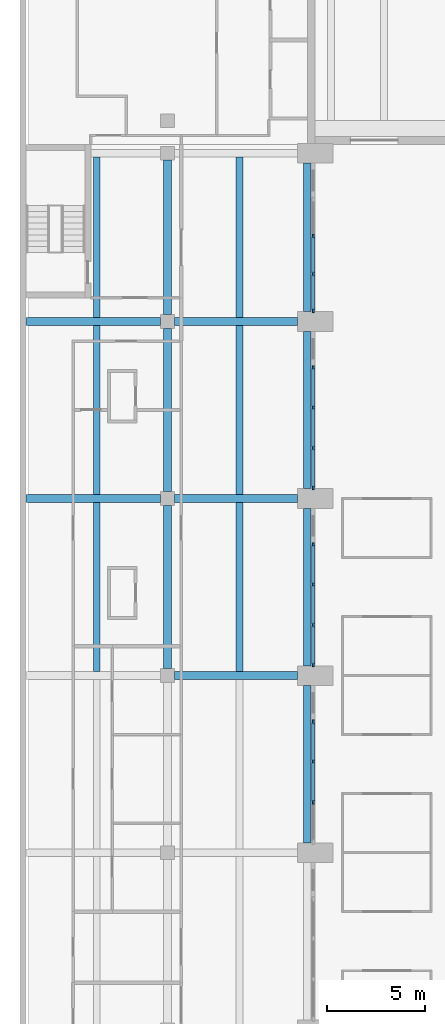
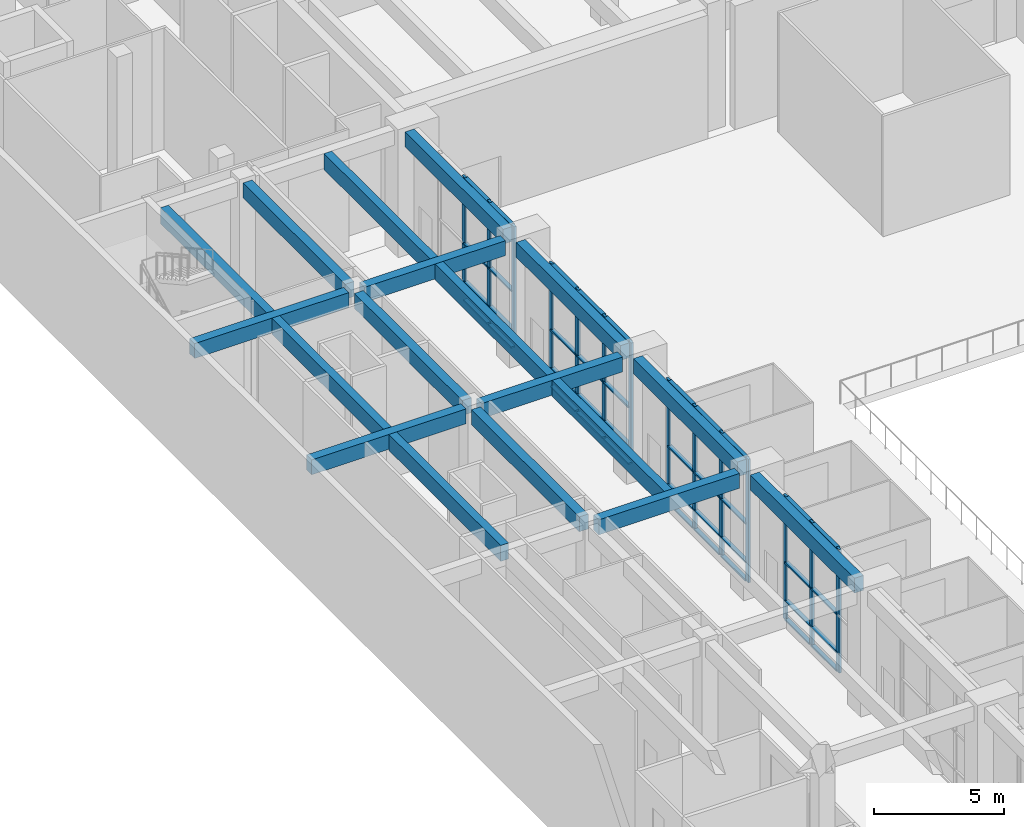
# One storey, part 17 of 51: 54 members, 18 beams, 4 elements without a shape of their own.
"""IFC4 building model written with IfcOpenShell, lengths in metres."""

from ifc_helpers import new_model, si_unit, direction, frame, origin, origin_2d, place, context, subcontext, project, spatial, rectangle, extrude, material, material_profile, profile_set, type_object, element, aggregate, save


model = new_model("IFC4")

# Units and contexts
model_context = context("Model", 3, precision=1e-05, world=origin(), true_north=direction((0.0, 1.0)))
body_context = subcontext(model_context, "Body", "Model", "MODEL_VIEW")
ifc_project = project(units=[si_unit("LENGTHUNIT", "METRE"), si_unit("AREAUNIT", "SQUARE_METRE"), si_unit("VOLUMEUNIT", "CUBIC_METRE"), si_unit("PLANEANGLEUNIT", "RADIAN"), si_unit("MASSUNIT", "GRAM", prefix="KILO")], contexts=[model_context])

# Site, building, storey
site_placement = place(None, origin())
site = spatial("IfcSite", under=ifc_project, at=site_placement, CompositionType="ELEMENT")
building_placement = place(site_placement, origin())
building = spatial("IfcBuilding", under=site, at=building_placement, Name="Elmora Arch Market Hall", CompositionType="ELEMENT")
storey_placement = place(building_placement, origin())
storey = spatial("IfcBuildingStorey", under=building, at=storey_placement, Name="L00", CompositionType="ELEMENT", Elevation=0.0)

# Curtain wall, members
ifc_material_1 = material(Name="Aluminium", Category="aluminium")
curtain_wall_type = type_object("IfcCurtainWallType", Name="Shopfront curtain wall", PredefinedType="NOTDEFINED", material=ifc_material_1)
curtain_wall_1_placement = place(storey_placement, origin())
curtain_wall_1 = element("IfcCurtainWall", 1, at=curtain_wall_1_placement, inside=storey, type_object=curtain_wall_type, Name="Shopfront W 5", PredefinedType="NOTDEFINED")
ifc_material_2 = material(Name="Aluminium", Category="aluminium")
ifc_material_profile_1 = material_profile(ifc_material_2, rectangle(XDim=0.10009765625, YDim=0.219970703125, at=origin_2d()), Name="AL 100x220")
ifc_profile_set_1 = profile_set([ifc_material_profile_1], Name="Aluminium")
member_type_1 = type_object("IfcMemberType", Name="Mullion 100x220", PredefinedType="MULLION", material=ifc_profile_set_1)
member_1_placement = place(storey_placement, frame((14.89990234375, 65.566650390625, 0.0), z_axis=(0.0, 0.0, 1.0), x_axis=(-1.0, 0.0, 0.0)))
member_1 = element("IfcMember", 2, at=member_1_placement, type_object=member_type_1, Name="CW3 mullion 2", PredefinedType="MULLION", context=body_context, shape_type="SweptSolid", body=[
    extrude(rectangle(XDim=0.10009765625, YDim=0.219970703125, at=origin_2d()), origin(), (0.0, 0.0, 1.0), 5.800048828125),
])
member_2_placement = place(storey_placement, frame((14.89990234375, 67.63330078125, 0.0), z_axis=(0.0, 0.0, 1.0), x_axis=(-1.0, 0.0, 0.0)))
member_2 = element("IfcMember", 3, at=member_2_placement, type_object=member_type_1, Name="CW3 mullion 3", PredefinedType="MULLION", context=body_context, shape_type="SweptSolid", body=[
    extrude(rectangle(XDim=0.10009765625, YDim=0.219970703125, at=origin_2d()), origin(), (0.0, 0.0, 1.0), 5.800048828125),
])
member_3_placement = place(storey_placement, frame((14.89990234375, 69.64990234375, 0.0), z_axis=(0.0, 0.0, 1.0), x_axis=(-1.0, 0.0, 0.0)))
member_3 = element("IfcMember", 4, at=member_3_placement, type_object=member_type_1, Name="CW3 mullion 4", PredefinedType="MULLION", context=body_context, shape_type="SweptSolid", body=[
    extrude(rectangle(XDim=0.10009765625, YDim=0.219970703125, at=origin_2d()), origin(), (0.0, 0.0, 1.0), 5.800048828125),
])

curtain_wall_2_placement = place(storey_placement, origin())
curtain_wall_2 = element("IfcCurtainWall", 5, at=curtain_wall_2_placement, inside=storey, type_object=curtain_wall_type, Name="Shopfront W 6", PredefinedType="NOTDEFINED")
member_4_placement = place(storey_placement, frame((14.89990234375, 72.550048828125, 0.0), z_axis=(0.0, 0.0, 1.0), x_axis=(-1.0, 0.0, 0.0)))
member_4 = element("IfcMember", 6, at=member_4_placement, type_object=member_type_1, Name="CW3 mullion 1", PredefinedType="MULLION", context=body_context, shape_type="SweptSolid", body=[
    extrude(rectangle(XDim=0.10009765625, YDim=0.219970703125, at=origin_2d()), origin(), (0.0, 0.0, 1.0), 5.800048828125),
])
member_5_placement = place(storey_placement, frame((14.89990234375, 74.566650390625, 0.0), z_axis=(0.0, 0.0, 1.0), x_axis=(-1.0, 0.0, 0.0)))
member_5 = element("IfcMember", 7, at=member_5_placement, type_object=member_type_1, Name="CW3 mullion 2", PredefinedType="MULLION", context=body_context, shape_type="SweptSolid", body=[
    extrude(rectangle(XDim=0.10009765625, YDim=0.219970703125, at=origin_2d()), origin(), (0.0, 0.0, 1.0), 5.800048828125),
])
member_6_placement = place(storey_placement, frame((14.89990234375, 76.63330078125, 0.0), z_axis=(0.0, 0.0, 1.0), x_axis=(-1.0, 0.0, 0.0)))
member_6 = element("IfcMember", 8, at=member_6_placement, type_object=member_type_1, Name="CW3 mullion 3", PredefinedType="MULLION", context=body_context, shape_type="SweptSolid", body=[
    extrude(rectangle(XDim=0.10009765625, YDim=0.219970703125, at=origin_2d()), origin(), (0.0, 0.0, 1.0), 5.800048828125),
])
member_7_placement = place(storey_placement, frame((14.89990234375, 78.64990234375, 0.0), z_axis=(0.0, 0.0, 1.0), x_axis=(-1.0, 0.0, 0.0)))
member_7 = element("IfcMember", 9, at=member_7_placement, type_object=member_type_1, Name="CW3 mullion 4", PredefinedType="MULLION", context=body_context, shape_type="SweptSolid", body=[
    extrude(rectangle(XDim=0.10009765625, YDim=0.219970703125, at=origin_2d()), origin(), (0.0, 0.0, 1.0), 5.800048828125),
])

curtain_wall_3_placement = place(storey_placement, origin())
curtain_wall_3 = element("IfcCurtainWall", 10, at=curtain_wall_3_placement, inside=storey, type_object=curtain_wall_type, Name="Shopfront W 7", PredefinedType="NOTDEFINED")
member_8_placement = place(storey_placement, frame((14.89990234375, 81.550048828125, 0.0), z_axis=(0.0, 0.0, 1.0), x_axis=(-1.0, 0.0, 0.0)))
member_8 = element("IfcMember", 11, at=member_8_placement, type_object=member_type_1, Name="CW3 mullion 1", PredefinedType="MULLION", context=body_context, shape_type="SweptSolid", body=[
    extrude(rectangle(XDim=0.10009765625, YDim=0.219970703125, at=origin_2d()), origin(), (0.0, 0.0, 1.0), 5.800048828125),
])
member_9_placement = place(storey_placement, frame((14.89990234375, 83.566650390625, 0.0), z_axis=(0.0, 0.0, 1.0), x_axis=(-1.0, 0.0, 0.0)))
member_9 = element("IfcMember", 12, at=member_9_placement, type_object=member_type_1, Name="CW3 mullion 2", PredefinedType="MULLION", context=body_context, shape_type="SweptSolid", body=[
    extrude(rectangle(XDim=0.10009765625, YDim=0.219970703125, at=origin_2d()), origin(), (0.0, 0.0, 1.0), 5.800048828125),
])
member_10_placement = place(storey_placement, frame((14.89990234375, 85.63330078125, 0.0), z_axis=(0.0, 0.0, 1.0), x_axis=(-1.0, 0.0, 0.0)))
member_10 = element("IfcMember", 13, at=member_10_placement, type_object=member_type_1, Name="CW3 mullion 3", PredefinedType="MULLION", context=body_context, shape_type="SweptSolid", body=[
    extrude(rectangle(XDim=0.10009765625, YDim=0.219970703125, at=origin_2d()), origin(), (0.0, 0.0, 1.0), 5.800048828125),
])
member_11_placement = place(storey_placement, frame((14.89990234375, 87.64990234375, 0.0), z_axis=(0.0, 0.0, 1.0), x_axis=(-1.0, 0.0, 0.0)))
member_11 = element("IfcMember", 14, at=member_11_placement, type_object=member_type_1, Name="CW3 mullion 4", PredefinedType="MULLION", context=body_context, shape_type="SweptSolid", body=[
    extrude(rectangle(XDim=0.10009765625, YDim=0.219970703125, at=origin_2d()), origin(), (0.0, 0.0, 1.0), 5.800048828125),
])

curtain_wall_4_placement = place(storey_placement, origin())
curtain_wall_4 = element("IfcCurtainWall", 15, at=curtain_wall_4_placement, inside=storey, type_object=curtain_wall_type, Name="Shopfront W 8", PredefinedType="NOTDEFINED")
member_12_placement = place(storey_placement, frame((14.89990234375, 90.550048828125, 0.0), z_axis=(0.0, 0.0, 1.0), x_axis=(-1.0, 0.0, 0.0)))
member_12 = element("IfcMember", 16, at=member_12_placement, type_object=member_type_1, Name="CW3 mullion 1", PredefinedType="MULLION", context=body_context, shape_type="SweptSolid", body=[
    extrude(rectangle(XDim=0.10009765625, YDim=0.219970703125, at=origin_2d()), origin(), (0.0, 0.0, 1.0), 5.800048828125),
])
member_13_placement = place(storey_placement, frame((14.89990234375, 92.416748046875, 0.0), z_axis=(0.0, 0.0, 1.0), x_axis=(-1.0, 0.0, 0.0)))
member_13 = element("IfcMember", 17, at=member_13_placement, type_object=member_type_1, Name="CW3 mullion 2", PredefinedType="MULLION", context=body_context, shape_type="SweptSolid", body=[
    extrude(rectangle(XDim=0.10009765625, YDim=0.219970703125, at=origin_2d()), origin(), (0.0, 0.0, 1.0), 5.800048828125),
])
member_14_placement = place(storey_placement, frame((14.89990234375, 94.333251953125, 0.0), z_axis=(0.0, 0.0, 1.0), x_axis=(-1.0, 0.0, 0.0)))
member_14 = element("IfcMember", 18, at=member_14_placement, type_object=member_type_1, Name="CW3 mullion 3", PredefinedType="MULLION", context=body_context, shape_type="SweptSolid", body=[
    extrude(rectangle(XDim=0.10009765625, YDim=0.219970703125, at=origin_2d()), origin(), (0.0, 0.0, 1.0), 5.800048828125),
])

# Member
ifc_material_3 = material(Name="Aluminium", Category="aluminium")
ifc_material_profile_2 = material_profile(ifc_material_3, rectangle(XDim=0.179931640625, YDim=0.074951171875, at=origin_2d()), Name="AL 180x75")
ifc_profile_set_2 = profile_set([ifc_material_profile_2], Name="Aluminium")
member_type_2 = type_object("IfcMemberType", Name="Transom 180x75", PredefinedType="USERDEFINED", material=ifc_profile_set_2)
member_15_placement = place(storey_placement, frame((14.89990234375, 65.61669921875, 0.03759765625), z_axis=(0.0, 1.0, 0.0), x_axis=(-1.0, 0.0, 0.0)))
member_15 = element("IfcMember", 19, at=member_15_placement, type_object=member_type_2, Name="CW3 transom 2.1", ObjectType="TRANSOM", PredefinedType="USERDEFINED", context=body_context, shape_type="SweptSolid", body=[
    extrude(rectangle(XDim=0.179931640625, YDim=0.074951171875, at=origin_2d()), origin(), (0.0, 0.0, 1.0), 1.966552734375),
])

member_16_placement = place(storey_placement, frame((14.89990234375, 65.61669921875, 0.89990234375), z_axis=(0.0, 1.0, 0.0), x_axis=(-1.0, 0.0, 0.0)))
member_16 = element("IfcMember", 20, at=member_16_placement, type_object=member_type_2, Name="CW3 transom 2.2", ObjectType="TRANSOM", PredefinedType="USERDEFINED", context=body_context, shape_type="SweptSolid", body=[
    extrude(rectangle(XDim=0.179931640625, YDim=0.074951171875, at=origin_2d()), origin(), (0.0, 0.0, 1.0), 1.966552734375),
])

member_17_placement = place(storey_placement, frame((14.89990234375, 65.61669921875, 2.699951171875), z_axis=(0.0, 1.0, 0.0), x_axis=(-1.0, 0.0, 0.0)))
member_17 = element("IfcMember", 21, at=member_17_placement, type_object=member_type_2, Name="CW3 transom 2.3", ObjectType="TRANSOM", PredefinedType="USERDEFINED", context=body_context, shape_type="SweptSolid", body=[
    extrude(rectangle(XDim=0.179931640625, YDim=0.074951171875, at=origin_2d()), origin(), (0.0, 0.0, 1.0), 1.966552734375),
])

member_18_placement = place(storey_placement, frame((14.89990234375, 65.61669921875, 5.762451171875), z_axis=(0.0, 1.0, 0.0), x_axis=(-1.0, 0.0, 0.0)))
member_18 = element("IfcMember", 22, at=member_18_placement, type_object=member_type_2, Name="CW3 transom 2.4", ObjectType="TRANSOM", PredefinedType="USERDEFINED", context=body_context, shape_type="SweptSolid", body=[
    extrude(rectangle(XDim=0.179931640625, YDim=0.074951171875, at=origin_2d()), origin(), (0.0, 0.0, 1.0), 1.966552734375),
])

member_19_placement = place(storey_placement, frame((14.89990234375, 67.683349609375, 0.03759765625), z_axis=(0.0, 1.0, 0.0), x_axis=(-1.0, 0.0, 0.0)))
member_19 = element("IfcMember", 23, at=member_19_placement, type_object=member_type_2, Name="CW3 transom 3.1", ObjectType="TRANSOM", PredefinedType="USERDEFINED", context=body_context, shape_type="SweptSolid", body=[
    extrude(rectangle(XDim=0.179931640625, YDim=0.074951171875, at=origin_2d()), origin(), (0.0, 0.0, 1.0), 1.916748046875),
])

member_20_placement = place(storey_placement, frame((14.89990234375, 67.683349609375, 0.89990234375), z_axis=(0.0, 1.0, 0.0), x_axis=(-1.0, 0.0, 0.0)))
member_20 = element("IfcMember", 24, at=member_20_placement, type_object=member_type_2, Name="CW3 transom 3.2", ObjectType="TRANSOM", PredefinedType="USERDEFINED", context=body_context, shape_type="SweptSolid", body=[
    extrude(rectangle(XDim=0.179931640625, YDim=0.074951171875, at=origin_2d()), origin(), (0.0, 0.0, 1.0), 1.916748046875),
])

member_21_placement = place(storey_placement, frame((14.89990234375, 67.683349609375, 2.699951171875), z_axis=(0.0, 1.0, 0.0), x_axis=(-1.0, 0.0, 0.0)))
member_21 = element("IfcMember", 25, at=member_21_placement, type_object=member_type_2, Name="CW3 transom 3.3", ObjectType="TRANSOM", PredefinedType="USERDEFINED", context=body_context, shape_type="SweptSolid", body=[
    extrude(rectangle(XDim=0.179931640625, YDim=0.074951171875, at=origin_2d()), origin(), (0.0, 0.0, 1.0), 1.916748046875),
])

member_22_placement = place(storey_placement, frame((14.89990234375, 67.683349609375, 5.762451171875), z_axis=(0.0, 1.0, 0.0), x_axis=(-1.0, 0.0, 0.0)))
member_22 = element("IfcMember", 26, at=member_22_placement, type_object=member_type_2, Name="CW3 transom 3.4", ObjectType="TRANSOM", PredefinedType="USERDEFINED", context=body_context, shape_type="SweptSolid", body=[
    extrude(rectangle(XDim=0.179931640625, YDim=0.074951171875, at=origin_2d()), origin(), (0.0, 0.0, 1.0), 1.916748046875),
])

aggregate(curtain_wall_1, [member_1, member_2, member_3, member_15, member_16, member_17, member_18, member_19, member_20, member_21, member_22])

member_23_placement = place(storey_placement, frame((14.89990234375, 72.60009765625, 0.03759765625), z_axis=(0.0, 1.0, 0.0), x_axis=(-1.0, 0.0, 0.0)))
member_23 = element("IfcMember", 27, at=member_23_placement, type_object=member_type_2, Name="CW3 transom 1.1", ObjectType="TRANSOM", PredefinedType="USERDEFINED", context=body_context, shape_type="SweptSolid", body=[
    extrude(rectangle(XDim=0.179931640625, YDim=0.074951171875, at=origin_2d()), origin(), (0.0, 0.0, 1.0), 1.91650390625),
])

member_24_placement = place(storey_placement, frame((14.89990234375, 72.60009765625, 0.89990234375), z_axis=(0.0, 1.0, 0.0), x_axis=(-1.0, 0.0, 0.0)))
member_24 = element("IfcMember", 28, at=member_24_placement, type_object=member_type_2, Name="CW3 transom 1.2", ObjectType="TRANSOM", PredefinedType="USERDEFINED", context=body_context, shape_type="SweptSolid", body=[
    extrude(rectangle(XDim=0.179931640625, YDim=0.074951171875, at=origin_2d()), origin(), (0.0, 0.0, 1.0), 1.91650390625),
])

member_25_placement = place(storey_placement, frame((14.89990234375, 72.60009765625, 2.699951171875), z_axis=(0.0, 1.0, 0.0), x_axis=(-1.0, 0.0, 0.0)))
member_25 = element("IfcMember", 29, at=member_25_placement, type_object=member_type_2, Name="CW3 transom 1.3", ObjectType="TRANSOM", PredefinedType="USERDEFINED", context=body_context, shape_type="SweptSolid", body=[
    extrude(rectangle(XDim=0.179931640625, YDim=0.074951171875, at=origin_2d()), origin(), (0.0, 0.0, 1.0), 1.91650390625),
])

member_26_placement = place(storey_placement, frame((14.89990234375, 72.60009765625, 5.762451171875), z_axis=(0.0, 1.0, 0.0), x_axis=(-1.0, 0.0, 0.0)))
member_26 = element("IfcMember", 30, at=member_26_placement, type_object=member_type_2, Name="CW3 transom 1.4", ObjectType="TRANSOM", PredefinedType="USERDEFINED", context=body_context, shape_type="SweptSolid", body=[
    extrude(rectangle(XDim=0.179931640625, YDim=0.074951171875, at=origin_2d()), origin(), (0.0, 0.0, 1.0), 1.91650390625),
])

member_27_placement = place(storey_placement, frame((14.89990234375, 74.61669921875, 0.03759765625), z_axis=(0.0, 1.0, 0.0), x_axis=(-1.0, 0.0, 0.0)))
member_27 = element("IfcMember", 31, at=member_27_placement, type_object=member_type_2, Name="CW3 transom 2.1", ObjectType="TRANSOM", PredefinedType="USERDEFINED", context=body_context, shape_type="SweptSolid", body=[
    extrude(rectangle(XDim=0.179931640625, YDim=0.074951171875, at=origin_2d()), origin(), (0.0, 0.0, 1.0), 1.966552734375),
])

member_28_placement = place(storey_placement, frame((14.89990234375, 74.61669921875, 0.89990234375), z_axis=(0.0, 1.0, 0.0), x_axis=(-1.0, 0.0, 0.0)))
member_28 = element("IfcMember", 32, at=member_28_placement, type_object=member_type_2, Name="CW3 transom 2.2", ObjectType="TRANSOM", PredefinedType="USERDEFINED", context=body_context, shape_type="SweptSolid", body=[
    extrude(rectangle(XDim=0.179931640625, YDim=0.074951171875, at=origin_2d()), origin(), (0.0, 0.0, 1.0), 1.966552734375),
])

member_29_placement = place(storey_placement, frame((14.89990234375, 74.61669921875, 2.699951171875), z_axis=(0.0, 1.0, 0.0), x_axis=(-1.0, 0.0, 0.0)))
member_29 = element("IfcMember", 33, at=member_29_placement, type_object=member_type_2, Name="CW3 transom 2.3", ObjectType="TRANSOM", PredefinedType="USERDEFINED", context=body_context, shape_type="SweptSolid", body=[
    extrude(rectangle(XDim=0.179931640625, YDim=0.074951171875, at=origin_2d()), origin(), (0.0, 0.0, 1.0), 1.966552734375),
])

member_30_placement = place(storey_placement, frame((14.89990234375, 74.61669921875, 5.762451171875), z_axis=(0.0, 1.0, 0.0), x_axis=(-1.0, 0.0, 0.0)))
member_30 = element("IfcMember", 34, at=member_30_placement, type_object=member_type_2, Name="CW3 transom 2.4", ObjectType="TRANSOM", PredefinedType="USERDEFINED", context=body_context, shape_type="SweptSolid", body=[
    extrude(rectangle(XDim=0.179931640625, YDim=0.074951171875, at=origin_2d()), origin(), (0.0, 0.0, 1.0), 1.966552734375),
])

member_31_placement = place(storey_placement, frame((14.89990234375, 76.683349609375, 0.03759765625), z_axis=(0.0, 1.0, 0.0), x_axis=(-1.0, 0.0, 0.0)))
member_31 = element("IfcMember", 35, at=member_31_placement, type_object=member_type_2, Name="CW3 transom 3.1", ObjectType="TRANSOM", PredefinedType="USERDEFINED", context=body_context, shape_type="SweptSolid", body=[
    extrude(rectangle(XDim=0.179931640625, YDim=0.074951171875, at=origin_2d()), origin(), (0.0, 0.0, 1.0), 1.916748046875),
])

member_32_placement = place(storey_placement, frame((14.89990234375, 76.683349609375, 0.89990234375), z_axis=(0.0, 1.0, 0.0), x_axis=(-1.0, 0.0, 0.0)))
member_32 = element("IfcMember", 36, at=member_32_placement, type_object=member_type_2, Name="CW3 transom 3.2", ObjectType="TRANSOM", PredefinedType="USERDEFINED", context=body_context, shape_type="SweptSolid", body=[
    extrude(rectangle(XDim=0.179931640625, YDim=0.074951171875, at=origin_2d()), origin(), (0.0, 0.0, 1.0), 1.916748046875),
])

member_33_placement = place(storey_placement, frame((14.89990234375, 76.683349609375, 2.699951171875), z_axis=(0.0, 1.0, 0.0), x_axis=(-1.0, 0.0, 0.0)))
member_33 = element("IfcMember", 37, at=member_33_placement, type_object=member_type_2, Name="CW3 transom 3.3", ObjectType="TRANSOM", PredefinedType="USERDEFINED", context=body_context, shape_type="SweptSolid", body=[
    extrude(rectangle(XDim=0.179931640625, YDim=0.074951171875, at=origin_2d()), origin(), (0.0, 0.0, 1.0), 1.916748046875),
])

member_34_placement = place(storey_placement, frame((14.89990234375, 76.683349609375, 5.762451171875), z_axis=(0.0, 1.0, 0.0), x_axis=(-1.0, 0.0, 0.0)))
member_34 = element("IfcMember", 38, at=member_34_placement, type_object=member_type_2, Name="CW3 transom 3.4", ObjectType="TRANSOM", PredefinedType="USERDEFINED", context=body_context, shape_type="SweptSolid", body=[
    extrude(rectangle(XDim=0.179931640625, YDim=0.074951171875, at=origin_2d()), origin(), (0.0, 0.0, 1.0), 1.916748046875),
])

aggregate(curtain_wall_2, [member_4, member_5, member_6, member_7, member_23, member_24, member_25, member_26, member_27, member_28, member_29, member_30, member_31, member_32, member_33, member_34])

member_35_placement = place(storey_placement, frame((14.89990234375, 81.60009765625, 0.03759765625), z_axis=(0.0, 1.0, 0.0), x_axis=(-1.0, 0.0, 0.0)))
member_35 = element("IfcMember", 39, at=member_35_placement, type_object=member_type_2, Name="CW3 transom 1.1", ObjectType="TRANSOM", PredefinedType="USERDEFINED", context=body_context, shape_type="SweptSolid", body=[
    extrude(rectangle(XDim=0.179931640625, YDim=0.074951171875, at=origin_2d()), origin(), (0.0, 0.0, 1.0), 1.91650390625),
])

member_36_placement = place(storey_placement, frame((14.89990234375, 81.60009765625, 0.89990234375), z_axis=(0.0, 1.0, 0.0), x_axis=(-1.0, 0.0, 0.0)))
member_36 = element("IfcMember", 40, at=member_36_placement, type_object=member_type_2, Name="CW3 transom 1.2", ObjectType="TRANSOM", PredefinedType="USERDEFINED", context=body_context, shape_type="SweptSolid", body=[
    extrude(rectangle(XDim=0.179931640625, YDim=0.074951171875, at=origin_2d()), origin(), (0.0, 0.0, 1.0), 1.91650390625),
])

member_37_placement = place(storey_placement, frame((14.89990234375, 81.60009765625, 2.699951171875), z_axis=(0.0, 1.0, 0.0), x_axis=(-1.0, 0.0, 0.0)))
member_37 = element("IfcMember", 41, at=member_37_placement, type_object=member_type_2, Name="CW3 transom 1.3", ObjectType="TRANSOM", PredefinedType="USERDEFINED", context=body_context, shape_type="SweptSolid", body=[
    extrude(rectangle(XDim=0.179931640625, YDim=0.074951171875, at=origin_2d()), origin(), (0.0, 0.0, 1.0), 1.91650390625),
])

member_38_placement = place(storey_placement, frame((14.89990234375, 81.60009765625, 5.762451171875), z_axis=(0.0, 1.0, 0.0), x_axis=(-1.0, 0.0, 0.0)))
member_38 = element("IfcMember", 42, at=member_38_placement, type_object=member_type_2, Name="CW3 transom 1.4", ObjectType="TRANSOM", PredefinedType="USERDEFINED", context=body_context, shape_type="SweptSolid", body=[
    extrude(rectangle(XDim=0.179931640625, YDim=0.074951171875, at=origin_2d()), origin(), (0.0, 0.0, 1.0), 1.91650390625),
])

member_39_placement = place(storey_placement, frame((14.89990234375, 83.61669921875, 0.03759765625), z_axis=(0.0, 1.0, 0.0), x_axis=(-1.0, 0.0, 0.0)))
member_39 = element("IfcMember", 43, at=member_39_placement, type_object=member_type_2, Name="CW3 transom 2.1", ObjectType="TRANSOM", PredefinedType="USERDEFINED", context=body_context, shape_type="SweptSolid", body=[
    extrude(rectangle(XDim=0.179931640625, YDim=0.074951171875, at=origin_2d()), origin(), (0.0, 0.0, 1.0), 1.966552734375),
])

member_40_placement = place(storey_placement, frame((14.89990234375, 83.61669921875, 0.89990234375), z_axis=(0.0, 1.0, 0.0), x_axis=(-1.0, 0.0, 0.0)))
member_40 = element("IfcMember", 44, at=member_40_placement, type_object=member_type_2, Name="CW3 transom 2.2", ObjectType="TRANSOM", PredefinedType="USERDEFINED", context=body_context, shape_type="SweptSolid", body=[
    extrude(rectangle(XDim=0.179931640625, YDim=0.074951171875, at=origin_2d()), origin(), (0.0, 0.0, 1.0), 1.966552734375),
])

member_41_placement = place(storey_placement, frame((14.89990234375, 83.61669921875, 2.699951171875), z_axis=(0.0, 1.0, 0.0), x_axis=(-1.0, 0.0, 0.0)))
member_41 = element("IfcMember", 45, at=member_41_placement, type_object=member_type_2, Name="CW3 transom 2.3", ObjectType="TRANSOM", PredefinedType="USERDEFINED", context=body_context, shape_type="SweptSolid", body=[
    extrude(rectangle(XDim=0.179931640625, YDim=0.074951171875, at=origin_2d()), origin(), (0.0, 0.0, 1.0), 1.966552734375),
])

member_42_placement = place(storey_placement, frame((14.89990234375, 83.61669921875, 5.762451171875), z_axis=(0.0, 1.0, 0.0), x_axis=(-1.0, 0.0, 0.0)))
member_42 = element("IfcMember", 46, at=member_42_placement, type_object=member_type_2, Name="CW3 transom 2.4", ObjectType="TRANSOM", PredefinedType="USERDEFINED", context=body_context, shape_type="SweptSolid", body=[
    extrude(rectangle(XDim=0.179931640625, YDim=0.074951171875, at=origin_2d()), origin(), (0.0, 0.0, 1.0), 1.966552734375),
])

member_43_placement = place(storey_placement, frame((14.89990234375, 85.683349609375, 0.03759765625), z_axis=(0.0, 1.0, 0.0), x_axis=(-1.0, 0.0, 0.0)))
member_43 = element("IfcMember", 47, at=member_43_placement, type_object=member_type_2, Name="CW3 transom 3.1", ObjectType="TRANSOM", PredefinedType="USERDEFINED", context=body_context, shape_type="SweptSolid", body=[
    extrude(rectangle(XDim=0.179931640625, YDim=0.074951171875, at=origin_2d()), origin(), (0.0, 0.0, 1.0), 1.916748046875),
])

member_44_placement = place(storey_placement, frame((14.89990234375, 85.683349609375, 0.89990234375), z_axis=(0.0, 1.0, 0.0), x_axis=(-1.0, 0.0, 0.0)))
member_44 = element("IfcMember", 48, at=member_44_placement, type_object=member_type_2, Name="CW3 transom 3.2", ObjectType="TRANSOM", PredefinedType="USERDEFINED", context=body_context, shape_type="SweptSolid", body=[
    extrude(rectangle(XDim=0.179931640625, YDim=0.074951171875, at=origin_2d()), origin(), (0.0, 0.0, 1.0), 1.916748046875),
])

member_45_placement = place(storey_placement, frame((14.89990234375, 85.683349609375, 2.699951171875), z_axis=(0.0, 1.0, 0.0), x_axis=(-1.0, 0.0, 0.0)))
member_45 = element("IfcMember", 49, at=member_45_placement, type_object=member_type_2, Name="CW3 transom 3.3", ObjectType="TRANSOM", PredefinedType="USERDEFINED", context=body_context, shape_type="SweptSolid", body=[
    extrude(rectangle(XDim=0.179931640625, YDim=0.074951171875, at=origin_2d()), origin(), (0.0, 0.0, 1.0), 1.916748046875),
])

member_46_placement = place(storey_placement, frame((14.89990234375, 85.683349609375, 5.762451171875), z_axis=(0.0, 1.0, 0.0), x_axis=(-1.0, 0.0, 0.0)))
member_46 = element("IfcMember", 50, at=member_46_placement, type_object=member_type_2, Name="CW3 transom 3.4", ObjectType="TRANSOM", PredefinedType="USERDEFINED", context=body_context, shape_type="SweptSolid", body=[
    extrude(rectangle(XDim=0.179931640625, YDim=0.074951171875, at=origin_2d()), origin(), (0.0, 0.0, 1.0), 1.916748046875),
])

aggregate(curtain_wall_3, [member_8, member_9, member_10, member_11, member_35, member_36, member_37, member_38, member_39, member_40, member_41, member_42, member_43, member_44, member_45, member_46])

member_47_placement = place(storey_placement, frame((14.89990234375, 90.60009765625, 0.03759765625), z_axis=(0.0, 1.0, 0.0), x_axis=(-1.0, 0.0, 0.0)))
member_47 = element("IfcMember", 51, at=member_47_placement, type_object=member_type_2, Name="CW3 transom 1.1", ObjectType="TRANSOM", PredefinedType="USERDEFINED", context=body_context, shape_type="SweptSolid", body=[
    extrude(rectangle(XDim=0.179931640625, YDim=0.074951171875, at=origin_2d()), origin(), (0.0, 0.0, 1.0), 1.7666015625),
])

member_48_placement = place(storey_placement, frame((14.89990234375, 90.60009765625, 0.89990234375), z_axis=(0.0, 1.0, 0.0), x_axis=(-1.0, 0.0, 0.0)))
member_48 = element("IfcMember", 52, at=member_48_placement, type_object=member_type_2, Name="CW3 transom 1.2", ObjectType="TRANSOM", PredefinedType="USERDEFINED", context=body_context, shape_type="SweptSolid", body=[
    extrude(rectangle(XDim=0.179931640625, YDim=0.074951171875, at=origin_2d()), origin(), (0.0, 0.0, 1.0), 1.7666015625),
])

member_49_placement = place(storey_placement, frame((14.89990234375, 90.60009765625, 2.699951171875), z_axis=(0.0, 1.0, 0.0), x_axis=(-1.0, 0.0, 0.0)))
member_49 = element("IfcMember", 53, at=member_49_placement, type_object=member_type_2, Name="CW3 transom 1.3", ObjectType="TRANSOM", PredefinedType="USERDEFINED", context=body_context, shape_type="SweptSolid", body=[
    extrude(rectangle(XDim=0.179931640625, YDim=0.074951171875, at=origin_2d()), origin(), (0.0, 0.0, 1.0), 1.7666015625),
])

member_50_placement = place(storey_placement, frame((14.89990234375, 90.60009765625, 5.762451171875), z_axis=(0.0, 1.0, 0.0), x_axis=(-1.0, 0.0, 0.0)))
member_50 = element("IfcMember", 54, at=member_50_placement, type_object=member_type_2, Name="CW3 transom 1.4", ObjectType="TRANSOM", PredefinedType="USERDEFINED", context=body_context, shape_type="SweptSolid", body=[
    extrude(rectangle(XDim=0.179931640625, YDim=0.074951171875, at=origin_2d()), origin(), (0.0, 0.0, 1.0), 1.7666015625),
])

member_51_placement = place(storey_placement, frame((14.89990234375, 92.466552734375, 0.03759765625), z_axis=(0.0, 1.0, 0.0), x_axis=(-1.0, 0.0, 0.0)))
member_51 = element("IfcMember", 55, at=member_51_placement, type_object=member_type_2, Name="CW3 transom 2.1", ObjectType="TRANSOM", PredefinedType="USERDEFINED", context=body_context, shape_type="SweptSolid", body=[
    extrude(rectangle(XDim=0.179931640625, YDim=0.074951171875, at=origin_2d()), origin(), (0.0, 0.0, 1.0), 1.81689453125),
])

member_52_placement = place(storey_placement, frame((14.89990234375, 92.466552734375, 0.89990234375), z_axis=(0.0, 1.0, 0.0), x_axis=(-1.0, 0.0, 0.0)))
member_52 = element("IfcMember", 56, at=member_52_placement, type_object=member_type_2, Name="CW3 transom 2.2", ObjectType="TRANSOM", PredefinedType="USERDEFINED", context=body_context, shape_type="SweptSolid", body=[
    extrude(rectangle(XDim=0.179931640625, YDim=0.074951171875, at=origin_2d()), origin(), (0.0, 0.0, 1.0), 1.81689453125),
])

member_53_placement = place(storey_placement, frame((14.89990234375, 92.466552734375, 2.699951171875), z_axis=(0.0, 1.0, 0.0), x_axis=(-1.0, 0.0, 0.0)))
member_53 = element("IfcMember", 57, at=member_53_placement, type_object=member_type_2, Name="CW3 transom 2.3", ObjectType="TRANSOM", PredefinedType="USERDEFINED", context=body_context, shape_type="SweptSolid", body=[
    extrude(rectangle(XDim=0.179931640625, YDim=0.074951171875, at=origin_2d()), origin(), (0.0, 0.0, 1.0), 1.81689453125),
])

member_54_placement = place(storey_placement, frame((14.89990234375, 92.466552734375, 5.762451171875), z_axis=(0.0, 1.0, 0.0), x_axis=(-1.0, 0.0, 0.0)))
member_54 = element("IfcMember", 58, at=member_54_placement, type_object=member_type_2, Name="CW3 transom 2.4", ObjectType="TRANSOM", PredefinedType="USERDEFINED", context=body_context, shape_type="SweptSolid", body=[
    extrude(rectangle(XDim=0.179931640625, YDim=0.074951171875, at=origin_2d()), origin(), (0.0, 0.0, 1.0), 1.81689453125),
])

aggregate(curtain_wall_4, [member_12, member_13, member_14, member_47, member_48, member_49, member_50, member_51, member_52, member_53, member_54])

# Beams
ifc_material_4 = material(Name="Concrete C32/40", Category="concrete")
ifc_material_profile_3 = material_profile(ifc_material_4, rectangle(XDim=0.39990234375, YDim=0.699951171875, at=origin_2d()), Name="Wing beam 400x700")
ifc_profile_set_3 = profile_set([ifc_material_profile_3], Name="Concrete C32/40")
beam_type_1 = type_object("IfcBeamType", Name="Wing beam 400x700", PredefinedType="BEAM", material=ifc_profile_set_3)
beam_1_placement = place(storey_placement, frame((7.85009765625, 72.0, 5.449951171875), z_axis=(1.0, 0.0, 0.0), x_axis=(0.0, 1.0, 0.0)))
element("IfcBeam", 59, at=beam_1_placement, inside=storey, type_object=beam_type_1, Name="Wing beam WR6 L00.2", PredefinedType="BEAM", context=body_context, shape_type="SweptSolid", body=[
    extrude(rectangle(XDim=0.39990234375, YDim=0.699951171875, at=origin_2d()), origin(), (0.0, 0.0, 1.0), 6.25),
])
beam_2_placement = place(storey_placement, frame((0.300048828125, 81.0, 5.449951171875), z_axis=(1.0, 0.0, 0.0), x_axis=(0.0, 1.0, 0.0)))
element("IfcBeam", 60, at=beam_2_placement, inside=storey, type_object=beam_type_1, Name="Wing beam WR7 L00.1", PredefinedType="BEAM", context=body_context, shape_type="SweptSolid", body=[
    extrude(rectangle(XDim=0.39990234375, YDim=0.699951171875, at=origin_2d()), origin(), (0.0, 0.0, 1.0), 6.849853515625),
])
beam_3_placement = place(storey_placement, frame((7.85009765625, 81.0, 5.449951171875), z_axis=(1.0, 0.0, 0.0), x_axis=(0.0, 1.0, 0.0)))
element("IfcBeam", 61, at=beam_3_placement, inside=storey, type_object=beam_type_1, Name="Wing beam WR7 L00.2", PredefinedType="BEAM", context=body_context, shape_type="SweptSolid", body=[
    extrude(rectangle(XDim=0.39990234375, YDim=0.699951171875, at=origin_2d()), origin(), (0.0, 0.0, 1.0), 6.25),
])
beam_4_placement = place(storey_placement, frame((0.300048828125, 90.0, 5.449951171875), z_axis=(1.0, 0.0, 0.0), x_axis=(0.0, 1.0, 0.0)))
element("IfcBeam", 62, at=beam_4_placement, inside=storey, type_object=beam_type_1, Name="Wing beam WR8 L00.1", PredefinedType="BEAM", context=body_context, shape_type="SweptSolid", body=[
    extrude(rectangle(XDim=0.39990234375, YDim=0.699951171875, at=origin_2d()), origin(), (0.0, 0.0, 1.0), 6.849853515625),
])
beam_5_placement = place(storey_placement, frame((7.85009765625, 90.0, 5.449951171875), z_axis=(1.0, 0.0, 0.0), x_axis=(0.0, 1.0, 0.0)))
element("IfcBeam", 63, at=beam_5_placement, inside=storey, type_object=beam_type_1, Name="Wing beam WR8 L00.2", PredefinedType="BEAM", context=body_context, shape_type="SweptSolid", body=[
    extrude(rectangle(XDim=0.39990234375, YDim=0.699951171875, at=origin_2d()), origin(), (0.0, 0.0, 1.0), 6.25),
])
for number, where, z_axis, x_axis, name in (
    (64, (7.5, 72.35009765625, 5.449951171875), (0.0, 1.0, 0.0), (-1.0, 0.0, 0.0), "Wing beam WG L00.6"),
    (65, (7.5, 81.35009765625, 5.449951171875), (0.0, 1.0, 0.0), (-1.0, 0.0, 0.0), "Wing beam WG L00.7"),
):
    element("IfcBeam", number, at=place(storey_placement, frame(where, z_axis=z_axis, x_axis=x_axis)), inside=storey, type_object=beam_type_1, Name=name, PredefinedType="BEAM", context=body_context, shape_type="SweptSolid", body=[
        extrude(rectangle(XDim=0.39990234375, YDim=0.699951171875, at=origin_2d()), origin(), (0.0, 0.0, 1.0), 8.2998046875),
    ])
beam_6_placement = place(storey_placement, frame((7.5, 90.35009765625, 5.449951171875), z_axis=(0.0, 1.0, 0.0), x_axis=(-1.0, 0.0, 0.0)))
element("IfcBeam", 66, at=beam_6_placement, inside=storey, type_object=beam_type_1, Name="Wing beam WG L00.8", PredefinedType="BEAM", context=body_context, shape_type="SweptSolid", body=[
    extrude(rectangle(XDim=0.39990234375, YDim=0.699951171875, at=origin_2d()), origin(), (0.0, 0.0, 1.0), 7.849853515625),
])
for number, where, z_axis, x_axis, name in (
    (67, (14.60009765625, 63.5, 5.449951171875), (0.0, 1.0, 0.0), (-1.0, 0.0, 0.0), "Wing beam WEB L00.5"),
    (68, (14.60009765625, 72.5, 5.449951171875), (0.0, 1.0, 0.0), (-1.0, 0.0, 0.0), "Wing beam WEB L00.6"),
    (69, (14.60009765625, 81.5, 5.449951171875), (0.0, 1.0, 0.0), (-1.0, 0.0, 0.0), "Wing beam WEB L00.7"),
):
    element("IfcBeam", number, at=place(storey_placement, frame(where, z_axis=z_axis, x_axis=x_axis)), inside=storey, type_object=beam_type_1, Name=name, PredefinedType="BEAM", context=body_context, shape_type="SweptSolid", body=[
        extrude(rectangle(XDim=0.39990234375, YDim=0.699951171875, at=origin_2d()), origin(), (0.0, 0.0, 1.0), 8.0),
    ])
beam_7_placement = place(storey_placement, frame((14.60009765625, 90.5, 5.449951171875), z_axis=(0.0, 1.0, 0.0), x_axis=(-1.0, 0.0, 0.0)))
element("IfcBeam", 70, at=beam_7_placement, inside=storey, type_object=beam_type_1, Name="Wing beam WEB L00.8", PredefinedType="BEAM", context=body_context, shape_type="SweptSolid", body=[
    extrude(rectangle(XDim=0.39990234375, YDim=0.699951171875, at=origin_2d()), origin(), (0.0, 0.0, 1.0), 7.550048828125),
])
ifc_material_5 = material(Name="Concrete C32/40", Category="concrete")
ifc_material_profile_4 = material_profile(ifc_material_5, rectangle(XDim=0.35009765625, YDim=0.75, at=origin_2d()), Name="Wing joist 350x750")
ifc_profile_set_4 = profile_set([ifc_material_profile_4], Name="Concrete C32/40")
beam_type_2 = type_object("IfcBeamType", Name="Wing joist 350x750", PredefinedType="JOIST", material=ifc_profile_set_4)
for number, where, z_axis, x_axis, name in (
    (71, (3.89990234375, 72.199951171875, 5.425048828125), (0.0, 1.0, 0.0), (-1.0, 0.0, 0.0), "Wing joist WJ1 L00.6"),
    (72, (3.89990234375, 81.199951171875, 5.425048828125), (0.0, 1.0, 0.0), (-1.0, 0.0, 0.0), "Wing joist WJ1 L00.7"),
):
    element("IfcBeam", number, at=place(storey_placement, frame(where, z_axis=z_axis, x_axis=x_axis)), inside=storey, type_object=beam_type_2, Name=name, PredefinedType="JOIST", context=body_context, shape_type="SweptSolid", body=[
        extrude(rectangle(XDim=0.35009765625, YDim=0.75, at=origin_2d()), origin(), (0.0, 0.0, 1.0), 8.60009765625),
    ])
beam_8_placement = place(storey_placement, frame((3.89990234375, 90.199951171875, 5.425048828125), z_axis=(0.0, 1.0, 0.0), x_axis=(-1.0, 0.0, 0.0)))
element("IfcBeam", 73, at=beam_8_placement, inside=storey, type_object=beam_type_2, Name="Wing joist WJ1 L00.8", PredefinedType="JOIST", context=body_context, shape_type="SweptSolid", body=[
    extrude(rectangle(XDim=0.35009765625, YDim=0.75, at=origin_2d()), origin(), (0.0, 0.0, 1.0), 8.150146484375),
])
for number, where, z_axis, x_axis, name in (
    (74, (11.14990234375, 72.199951171875, 5.425048828125), (0.0, 1.0, 0.0), (-1.0, 0.0, 0.0), "Wing joist WJ2 L00.6"),
    (75, (11.14990234375, 81.199951171875, 5.425048828125), (0.0, 1.0, 0.0), (-1.0, 0.0, 0.0), "Wing joist WJ2 L00.7"),
):
    element("IfcBeam", number, at=place(storey_placement, frame(where, z_axis=z_axis, x_axis=x_axis)), inside=storey, type_object=beam_type_2, Name=name, PredefinedType="JOIST", context=body_context, shape_type="SweptSolid", body=[
        extrude(rectangle(XDim=0.35009765625, YDim=0.75, at=origin_2d()), origin(), (0.0, 0.0, 1.0), 8.60009765625),
    ])
beam_9_placement = place(storey_placement, frame((11.14990234375, 90.199951171875, 5.425048828125), z_axis=(0.0, 1.0, 0.0), x_axis=(-1.0, 0.0, 0.0)))
element("IfcBeam", 76, at=beam_9_placement, inside=storey, type_object=beam_type_2, Name="Wing joist WJ2 L00.8", PredefinedType="JOIST", context=body_context, shape_type="SweptSolid", body=[
    extrude(rectangle(XDim=0.35009765625, YDim=0.75, at=origin_2d()), origin(), (0.0, 0.0, 1.0), 8.150146484375),
])

save(model, "model.ifc")
